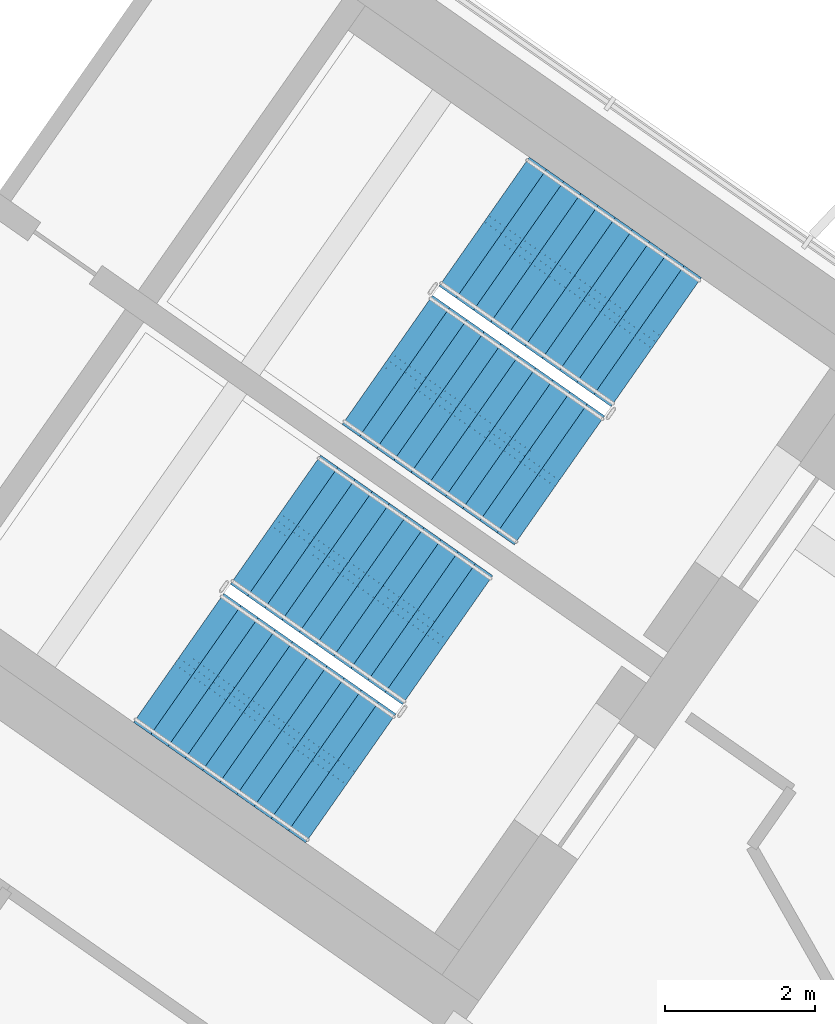
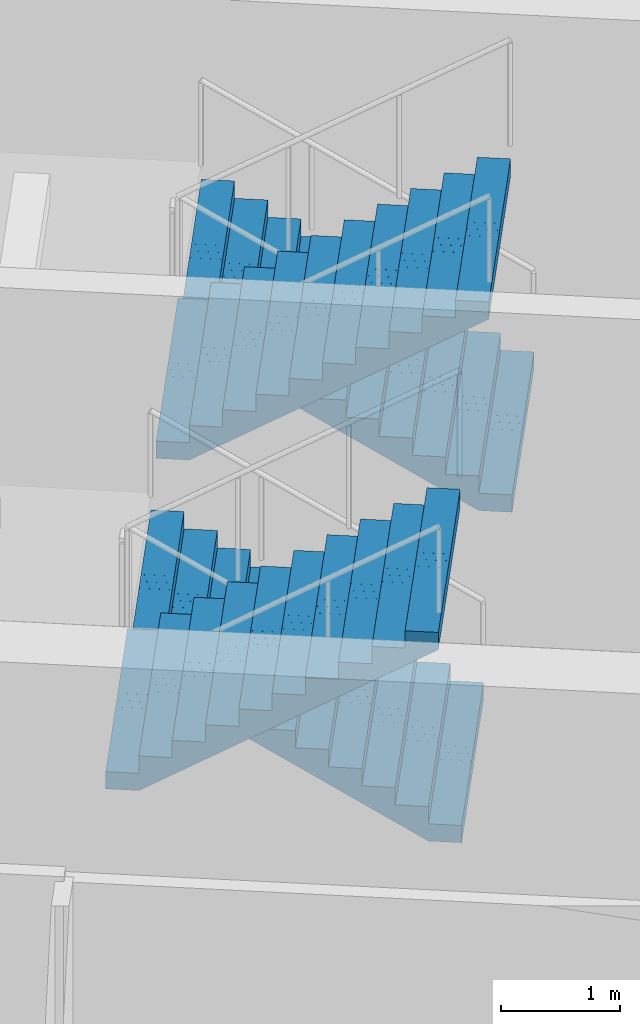
# One storey, part 14 of 19: 4 stair flights, 2 elements without a shape of their own.
"""IFC4 building model written with IfcOpenShell, lengths in metres."""

from ifc_helpers import new_model, si_unit, direction, frame, origin, place, context, subcontext, project, spatial, polyline, outline, extrude, material, type_object, element, aggregate, save


model = new_model("IFC4")

# Units and contexts
model_context = context("Model", 3, precision=1e-05, world=origin(), true_north=direction((0.0, 1.0)))
body_context = subcontext(model_context, "Body", "Model", "MODEL_VIEW")
ifc_project = project(units=[si_unit("LENGTHUNIT", "METRE"), si_unit("AREAUNIT", "SQUARE_METRE"), si_unit("VOLUMEUNIT", "CUBIC_METRE"), si_unit("PLANEANGLEUNIT", "RADIAN"), si_unit("MASSUNIT", "GRAM", prefix="KILO")], contexts=[model_context])

# Site, building, storey
site_placement = place(None, origin())
site = spatial("IfcSite", under=ifc_project, at=site_placement, CompositionType="ELEMENT")
building_placement = place(site_placement, origin())
building = spatial("IfcBuilding", under=site, at=building_placement, Name="Tel Ilan Convention Tower", CompositionType="ELEMENT")
storey_placement = place(building_placement, frame((0.0, 0.0, 241.0)))
storey = spatial("IfcBuildingStorey", under=building, at=storey_placement, Name="L56", CompositionType="ELEMENT", Elevation=241.0)

# Stair, stair flights
ifc_material_1 = material(Name="Concrete C40/50", Category="concrete")
stair_type = type_object("IfcStairType", Name="Pressurised Exit Stair 22 risers 177 mm", PredefinedType="HALF_TURN_STAIR", material=ifc_material_1)
stair_1_placement = place(storey_placement, origin())
stair_1 = element("IfcStair", 1, at=stair_1_placement, inside=storey, type_object=stair_type, Name="L56 Pressurised Stair S3", PredefinedType="HALF_TURN_STAIR")
ifc_material_2 = material(Name="Precast Concrete C40/50", Category="concrete")
stair_flight_type = type_object("IfcStairFlightType", Name="Concrete Stair Flight 2100 mm 22 risers 177 mm", PredefinedType="STRAIGHT", material=ifc_material_2)
stair_flight_1_placement = place(storey_placement, frame((24.25244140625, -7.032470703125, 0.0), z_axis=(0.0, 0.0, 1.0), x_axis=(-0.819152044289, 0.573576436351, 0.0)))
stair_flight_1 = element("IfcStairFlight", 2, at=stair_flight_1_placement, type_object=stair_flight_type, Name="S3 flight 1", NumberOfRisers=11, NumberOfTreads=10, PredefinedType="STRAIGHT", RiserHeight=0.177272727, TreadLength=0.28, context=body_context, shape_type="SweptSolid", body=[
    extrude(outline(polyline([(0.0, 0.0), (0.0, 0.17724609375), (0.280029296875, 0.17724609375), (0.280029296875, 0.3544921875), (0.56005859375, 0.3544921875), (0.56005859375, 0.53173828125), (0.840087890625, 0.53173828125), (0.840087890625, 0.708984375), (1.1201171875, 0.708984375), (1.1201171875, 0.886474609375), (1.39990234375, 0.886474609375), (1.39990234375, 1.063720703125), (1.679931640625, 1.063720703125), (1.679931640625, 1.240966796875), (1.9599609375, 1.240966796875), (1.9599609375, 1.418212890625), (2.239990234375, 1.418212890625), (2.239990234375, 1.595458984375), (2.52001953125, 1.595458984375), (2.52001953125, 1.772705078125), (2.800048828125, 1.772705078125), (2.800048828125, 1.949951171875), (2.800048828125, 1.59521484375), (0.2802734375, 0.0), (0.0, 0.0)])), frame((0.0, -0.100341796875, 0.0), z_axis=(0.0, -1.0, 0.0), x_axis=(1.0, 0.0, 0.0)), (0.0, 0.0, 1.0), 0.94970703125),
    extrude(outline(polyline([(0.0, 0.0), (0.0, 0.17724609375), (0.280029296875, 0.17724609375), (0.280029296875, 0.3544921875), (0.56005859375, 0.3544921875), (0.56005859375, 0.53173828125), (0.840087890625, 0.53173828125), (0.840087890625, 0.708984375), (1.1201171875, 0.708984375), (1.1201171875, 0.886474609375), (1.39990234375, 0.886474609375), (1.39990234375, 1.063720703125), (1.679931640625, 1.063720703125), (1.679931640625, 1.240966796875), (1.9599609375, 1.240966796875), (1.9599609375, 1.418212890625), (2.239990234375, 1.418212890625), (2.239990234375, 1.595458984375), (2.52001953125, 1.595458984375), (2.52001953125, 1.772705078125), (2.800048828125, 1.772705078125), (2.800048828125, 1.949951171875), (2.800048828125, 1.59521484375), (0.2802734375, 0.0), (0.0, 0.0)])), frame((0.0, -0.000244140625, 0.0), z_axis=(0.0, -1.0, 0.0), x_axis=(1.0, 0.0, 0.0)), (0.0, 0.0, 1.0), 0.099609375),
    extrude(outline(polyline([(0.0, 0.0), (0.0, 0.17724609375), (0.280029296875, 0.17724609375), (0.280029296875, 0.3544921875), (0.56005859375, 0.3544921875), (0.56005859375, 0.53173828125), (0.840087890625, 0.53173828125), (0.840087890625, 0.708984375), (1.1201171875, 0.708984375), (1.1201171875, 0.886474609375), (1.39990234375, 0.886474609375), (1.39990234375, 1.063720703125), (1.679931640625, 1.063720703125), (1.679931640625, 1.240966796875), (1.9599609375, 1.240966796875), (1.9599609375, 1.418212890625), (2.239990234375, 1.418212890625), (2.239990234375, 1.595458984375), (2.52001953125, 1.595458984375), (2.52001953125, 1.772705078125), (2.800048828125, 1.772705078125), (2.800048828125, 1.949951171875), (2.800048828125, 1.59521484375), (0.2802734375, 0.0), (0.0, 0.0)])), frame((0.0, 0.099853515625, 0.0), z_axis=(0.0, -1.0, 0.0), x_axis=(1.0, 0.0, 0.0)), (0.0, 0.0, 1.0), 0.099609375),
    extrude(outline(polyline([(0.0, 0.0), (0.0, 0.17724609375), (0.280029296875, 0.17724609375), (0.280029296875, 0.3544921875), (0.56005859375, 0.3544921875), (0.56005859375, 0.53173828125), (0.840087890625, 0.53173828125), (0.840087890625, 0.708984375), (1.1201171875, 0.708984375), (1.1201171875, 0.886474609375), (1.39990234375, 0.886474609375), (1.39990234375, 1.063720703125), (1.679931640625, 1.063720703125), (1.679931640625, 1.240966796875), (1.9599609375, 1.240966796875), (1.9599609375, 1.418212890625), (2.239990234375, 1.418212890625), (2.239990234375, 1.595458984375), (2.52001953125, 1.595458984375), (2.52001953125, 1.772705078125), (2.800048828125, 1.772705078125), (2.800048828125, 1.949951171875), (2.800048828125, 1.59521484375), (0.2802734375, 0.0), (0.0, 0.0)])), frame((0.0, 1.050048828125, 0.0), z_axis=(0.0, -1.0, 0.0), x_axis=(1.0, 0.0, 0.0)), (0.0, 0.0, 1.0), 0.94970703125),
])
stair_flight_2_placement = place(storey_placement, frame((20.668212890625, -7.26953125, 1.949951171875), z_axis=(0.0, 0.0, 1.0), x_axis=(0.819152044289, -0.573576436351, 0.0)))
stair_flight_2 = element("IfcStairFlight", 3, at=stair_flight_2_placement, type_object=stair_flight_type, Name="S3 flight 2", NumberOfRisers=11, NumberOfTreads=10, PredefinedType="STRAIGHT", RiserHeight=0.177272727, TreadLength=0.28, context=body_context, shape_type="SweptSolid", body=[
    extrude(outline(polyline([(0.0, 0.0), (0.0, 0.17724609375), (0.280029296875, 0.17724609375), (0.280029296875, 0.3544921875), (0.56005859375, 0.3544921875), (0.56005859375, 0.53173828125), (0.840087890625, 0.53173828125), (0.840087890625, 0.708984375), (1.1201171875, 0.708984375), (1.1201171875, 0.886474609375), (1.39990234375, 0.886474609375), (1.39990234375, 1.063720703125), (1.679931640625, 1.063720703125), (1.679931640625, 1.240966796875), (1.9599609375, 1.240966796875), (1.9599609375, 1.418212890625), (2.239990234375, 1.418212890625), (2.239990234375, 1.595458984375), (2.52001953125, 1.595458984375), (2.52001953125, 1.772705078125), (2.800048828125, 1.772705078125), (2.800048828125, 1.949951171875), (2.800048828125, 1.59521484375), (0.2802734375, 0.0), (0.0, 0.0)])), frame((0.0, -0.100341796875, 0.0), z_axis=(0.0, -1.0, 0.0), x_axis=(1.0, 0.0, 0.0)), (0.0, 0.0, 1.0), 0.94970703125),
    extrude(outline(polyline([(0.0, 0.0), (0.0, 0.17724609375), (0.280029296875, 0.17724609375), (0.280029296875, 0.3544921875), (0.56005859375, 0.3544921875), (0.56005859375, 0.53173828125), (0.840087890625, 0.53173828125), (0.840087890625, 0.708984375), (1.1201171875, 0.708984375), (1.1201171875, 0.886474609375), (1.39990234375, 0.886474609375), (1.39990234375, 1.063720703125), (1.679931640625, 1.063720703125), (1.679931640625, 1.240966796875), (1.9599609375, 1.240966796875), (1.9599609375, 1.418212890625), (2.239990234375, 1.418212890625), (2.239990234375, 1.595458984375), (2.52001953125, 1.595458984375), (2.52001953125, 1.772705078125), (2.800048828125, 1.772705078125), (2.800048828125, 1.949951171875), (2.800048828125, 1.59521484375), (0.2802734375, 0.0), (0.0, 0.0)])), frame((0.0, -0.000244140625, 0.0), z_axis=(0.0, -1.0, 0.0), x_axis=(1.0, 0.0, 0.0)), (0.0, 0.0, 1.0), 0.099609375),
    extrude(outline(polyline([(0.0, 0.0), (0.0, 0.17724609375), (0.280029296875, 0.17724609375), (0.280029296875, 0.3544921875), (0.56005859375, 0.3544921875), (0.56005859375, 0.53173828125), (0.840087890625, 0.53173828125), (0.840087890625, 0.708984375), (1.1201171875, 0.708984375), (1.1201171875, 0.886474609375), (1.39990234375, 0.886474609375), (1.39990234375, 1.063720703125), (1.679931640625, 1.063720703125), (1.679931640625, 1.240966796875), (1.9599609375, 1.240966796875), (1.9599609375, 1.418212890625), (2.239990234375, 1.418212890625), (2.239990234375, 1.595458984375), (2.52001953125, 1.595458984375), (2.52001953125, 1.772705078125), (2.800048828125, 1.772705078125), (2.800048828125, 1.949951171875), (2.800048828125, 1.59521484375), (0.2802734375, 0.0), (0.0, 0.0)])), frame((0.0, 0.099853515625, 0.0), z_axis=(0.0, -1.0, 0.0), x_axis=(1.0, 0.0, 0.0)), (0.0, 0.0, 1.0), 0.099609375),
    extrude(outline(polyline([(0.0, 0.0), (0.0, 0.17724609375), (0.280029296875, 0.17724609375), (0.280029296875, 0.3544921875), (0.56005859375, 0.3544921875), (0.56005859375, 0.53173828125), (0.840087890625, 0.53173828125), (0.840087890625, 0.708984375), (1.1201171875, 0.708984375), (1.1201171875, 0.886474609375), (1.39990234375, 0.886474609375), (1.39990234375, 1.063720703125), (1.679931640625, 1.063720703125), (1.679931640625, 1.240966796875), (1.9599609375, 1.240966796875), (1.9599609375, 1.418212890625), (2.239990234375, 1.418212890625), (2.239990234375, 1.595458984375), (2.52001953125, 1.595458984375), (2.52001953125, 1.772705078125), (2.800048828125, 1.772705078125), (2.800048828125, 1.949951171875), (2.800048828125, 1.59521484375), (0.2802734375, 0.0), (0.0, 0.0)])), frame((0.0, 1.050048828125, 0.0), z_axis=(0.0, -1.0, 0.0), x_axis=(1.0, 0.0, 0.0)), (0.0, 0.0, 1.0), 0.94970703125),
])
aggregate(stair_1, [stair_flight_1, stair_flight_2])

stair_2_placement = place(storey_placement, origin())
stair_2 = element("IfcStair", 4, at=stair_2_placement, inside=storey, type_object=stair_type, Name="L56 Pressurised Stair S4", PredefinedType="HALF_TURN_STAIR")
stair_flight_3_placement = place(storey_placement, frame((21.470458984375, -11.00537109375, 0.0), z_axis=(0.0, 0.0, 1.0), x_axis=(-0.819152044289, 0.573576436351, 0.0)))
stair_flight_3 = element("IfcStairFlight", 5, at=stair_flight_3_placement, type_object=stair_flight_type, Name="S4 flight 1", NumberOfRisers=11, NumberOfTreads=10, PredefinedType="STRAIGHT", RiserHeight=0.177272727, TreadLength=0.28, context=body_context, shape_type="SweptSolid", body=[
    extrude(outline(polyline([(0.0, 0.0), (0.0, 0.17724609375), (0.280029296875, 0.17724609375), (0.280029296875, 0.3544921875), (0.56005859375, 0.3544921875), (0.56005859375, 0.53173828125), (0.840087890625, 0.53173828125), (0.840087890625, 0.708984375), (1.1201171875, 0.708984375), (1.1201171875, 0.886474609375), (1.39990234375, 0.886474609375), (1.39990234375, 1.063720703125), (1.679931640625, 1.063720703125), (1.679931640625, 1.240966796875), (1.9599609375, 1.240966796875), (1.9599609375, 1.418212890625), (2.239990234375, 1.418212890625), (2.239990234375, 1.595458984375), (2.52001953125, 1.595458984375), (2.52001953125, 1.772705078125), (2.800048828125, 1.772705078125), (2.800048828125, 1.949951171875), (2.800048828125, 1.59521484375), (0.2802734375, 0.0), (0.0, 0.0)])), frame((0.0, -0.100341796875, 0.0), z_axis=(0.0, -1.0, 0.0), x_axis=(1.0, 0.0, 0.0)), (0.0, 0.0, 1.0), 0.94970703125),
    extrude(outline(polyline([(0.0, 0.0), (0.0, 0.17724609375), (0.280029296875, 0.17724609375), (0.280029296875, 0.3544921875), (0.56005859375, 0.3544921875), (0.56005859375, 0.53173828125), (0.840087890625, 0.53173828125), (0.840087890625, 0.708984375), (1.1201171875, 0.708984375), (1.1201171875, 0.886474609375), (1.39990234375, 0.886474609375), (1.39990234375, 1.063720703125), (1.679931640625, 1.063720703125), (1.679931640625, 1.240966796875), (1.9599609375, 1.240966796875), (1.9599609375, 1.418212890625), (2.239990234375, 1.418212890625), (2.239990234375, 1.595458984375), (2.52001953125, 1.595458984375), (2.52001953125, 1.772705078125), (2.800048828125, 1.772705078125), (2.800048828125, 1.949951171875), (2.800048828125, 1.59521484375), (0.2802734375, 0.0), (0.0, 0.0)])), frame((0.0, -0.000244140625, 0.0), z_axis=(0.0, -1.0, 0.0), x_axis=(1.0, 0.0, 0.0)), (0.0, 0.0, 1.0), 0.099609375),
    extrude(outline(polyline([(0.0, 0.0), (0.0, 0.17724609375), (0.280029296875, 0.17724609375), (0.280029296875, 0.3544921875), (0.56005859375, 0.3544921875), (0.56005859375, 0.53173828125), (0.840087890625, 0.53173828125), (0.840087890625, 0.708984375), (1.1201171875, 0.708984375), (1.1201171875, 0.886474609375), (1.39990234375, 0.886474609375), (1.39990234375, 1.063720703125), (1.679931640625, 1.063720703125), (1.679931640625, 1.240966796875), (1.9599609375, 1.240966796875), (1.9599609375, 1.418212890625), (2.239990234375, 1.418212890625), (2.239990234375, 1.595458984375), (2.52001953125, 1.595458984375), (2.52001953125, 1.772705078125), (2.800048828125, 1.772705078125), (2.800048828125, 1.949951171875), (2.800048828125, 1.59521484375), (0.2802734375, 0.0), (0.0, 0.0)])), frame((0.0, 0.099853515625, 0.0), z_axis=(0.0, -1.0, 0.0), x_axis=(1.0, 0.0, 0.0)), (0.0, 0.0, 1.0), 0.099609375),
    extrude(outline(polyline([(0.0, 0.0), (0.0, 0.17724609375), (0.280029296875, 0.17724609375), (0.280029296875, 0.3544921875), (0.56005859375, 0.3544921875), (0.56005859375, 0.53173828125), (0.840087890625, 0.53173828125), (0.840087890625, 0.708984375), (1.1201171875, 0.708984375), (1.1201171875, 0.886474609375), (1.39990234375, 0.886474609375), (1.39990234375, 1.063720703125), (1.679931640625, 1.063720703125), (1.679931640625, 1.240966796875), (1.9599609375, 1.240966796875), (1.9599609375, 1.418212890625), (2.239990234375, 1.418212890625), (2.239990234375, 1.595458984375), (2.52001953125, 1.595458984375), (2.52001953125, 1.772705078125), (2.800048828125, 1.772705078125), (2.800048828125, 1.949951171875), (2.800048828125, 1.59521484375), (0.2802734375, 0.0), (0.0, 0.0)])), frame((0.0, 1.050048828125, 0.0), z_axis=(0.0, -1.0, 0.0), x_axis=(1.0, 0.0, 0.0)), (0.0, 0.0, 1.0), 0.94970703125),
])
stair_flight_4_placement = place(storey_placement, frame((17.886474609375, -11.242431640625, 1.949951171875), z_axis=(0.0, 0.0, 1.0), x_axis=(0.819152044289, -0.573576436351, 0.0)))
stair_flight_4 = element("IfcStairFlight", 6, at=stair_flight_4_placement, type_object=stair_flight_type, Name="S4 flight 2", NumberOfRisers=11, NumberOfTreads=10, PredefinedType="STRAIGHT", RiserHeight=0.177272727, TreadLength=0.28, context=body_context, shape_type="SweptSolid", body=[
    extrude(outline(polyline([(0.0, 0.0), (0.0, 0.17724609375), (0.280029296875, 0.17724609375), (0.280029296875, 0.3544921875), (0.56005859375, 0.3544921875), (0.56005859375, 0.53173828125), (0.840087890625, 0.53173828125), (0.840087890625, 0.708984375), (1.1201171875, 0.708984375), (1.1201171875, 0.886474609375), (1.39990234375, 0.886474609375), (1.39990234375, 1.063720703125), (1.679931640625, 1.063720703125), (1.679931640625, 1.240966796875), (1.9599609375, 1.240966796875), (1.9599609375, 1.418212890625), (2.239990234375, 1.418212890625), (2.239990234375, 1.595458984375), (2.52001953125, 1.595458984375), (2.52001953125, 1.772705078125), (2.800048828125, 1.772705078125), (2.800048828125, 1.949951171875), (2.800048828125, 1.59521484375), (0.2802734375, 0.0), (0.0, 0.0)])), frame((0.0, -0.100341796875, 0.0), z_axis=(0.0, -1.0, 0.0), x_axis=(1.0, 0.0, 0.0)), (0.0, 0.0, 1.0), 0.94970703125),
    extrude(outline(polyline([(0.0, 0.0), (0.0, 0.17724609375), (0.280029296875, 0.17724609375), (0.280029296875, 0.3544921875), (0.56005859375, 0.3544921875), (0.56005859375, 0.53173828125), (0.840087890625, 0.53173828125), (0.840087890625, 0.708984375), (1.1201171875, 0.708984375), (1.1201171875, 0.886474609375), (1.39990234375, 0.886474609375), (1.39990234375, 1.063720703125), (1.679931640625, 1.063720703125), (1.679931640625, 1.240966796875), (1.9599609375, 1.240966796875), (1.9599609375, 1.418212890625), (2.239990234375, 1.418212890625), (2.239990234375, 1.595458984375), (2.52001953125, 1.595458984375), (2.52001953125, 1.772705078125), (2.800048828125, 1.772705078125), (2.800048828125, 1.949951171875), (2.800048828125, 1.59521484375), (0.2802734375, 0.0), (0.0, 0.0)])), frame((0.0, -0.000244140625, 0.0), z_axis=(0.0, -1.0, 0.0), x_axis=(1.0, 0.0, 0.0)), (0.0, 0.0, 1.0), 0.099609375),
    extrude(outline(polyline([(0.0, 0.0), (0.0, 0.17724609375), (0.280029296875, 0.17724609375), (0.280029296875, 0.3544921875), (0.56005859375, 0.3544921875), (0.56005859375, 0.53173828125), (0.840087890625, 0.53173828125), (0.840087890625, 0.708984375), (1.1201171875, 0.708984375), (1.1201171875, 0.886474609375), (1.39990234375, 0.886474609375), (1.39990234375, 1.063720703125), (1.679931640625, 1.063720703125), (1.679931640625, 1.240966796875), (1.9599609375, 1.240966796875), (1.9599609375, 1.418212890625), (2.239990234375, 1.418212890625), (2.239990234375, 1.595458984375), (2.52001953125, 1.595458984375), (2.52001953125, 1.772705078125), (2.800048828125, 1.772705078125), (2.800048828125, 1.949951171875), (2.800048828125, 1.59521484375), (0.2802734375, 0.0), (0.0, 0.0)])), frame((0.0, 0.099853515625, 0.0), z_axis=(0.0, -1.0, 0.0), x_axis=(1.0, 0.0, 0.0)), (0.0, 0.0, 1.0), 0.099609375),
    extrude(outline(polyline([(0.0, 0.0), (0.0, 0.17724609375), (0.280029296875, 0.17724609375), (0.280029296875, 0.3544921875), (0.56005859375, 0.3544921875), (0.56005859375, 0.53173828125), (0.840087890625, 0.53173828125), (0.840087890625, 0.708984375), (1.1201171875, 0.708984375), (1.1201171875, 0.886474609375), (1.39990234375, 0.886474609375), (1.39990234375, 1.063720703125), (1.679931640625, 1.063720703125), (1.679931640625, 1.240966796875), (1.9599609375, 1.240966796875), (1.9599609375, 1.418212890625), (2.239990234375, 1.418212890625), (2.239990234375, 1.595458984375), (2.52001953125, 1.595458984375), (2.52001953125, 1.772705078125), (2.800048828125, 1.772705078125), (2.800048828125, 1.949951171875), (2.800048828125, 1.59521484375), (0.2802734375, 0.0), (0.0, 0.0)])), frame((0.0, 1.050048828125, 0.0), z_axis=(0.0, -1.0, 0.0), x_axis=(1.0, 0.0, 0.0)), (0.0, 0.0, 1.0), 0.94970703125),
])
aggregate(stair_2, [stair_flight_3, stair_flight_4])

save(model, "model.ifc")
